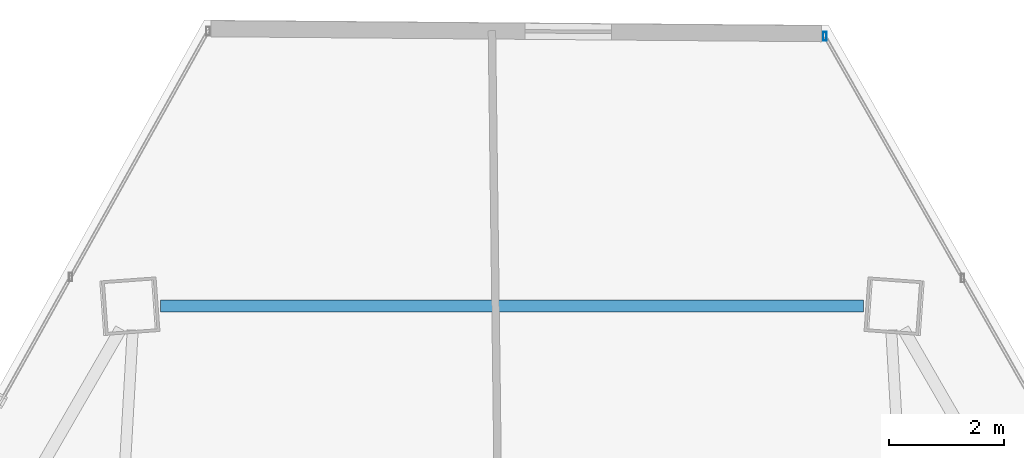
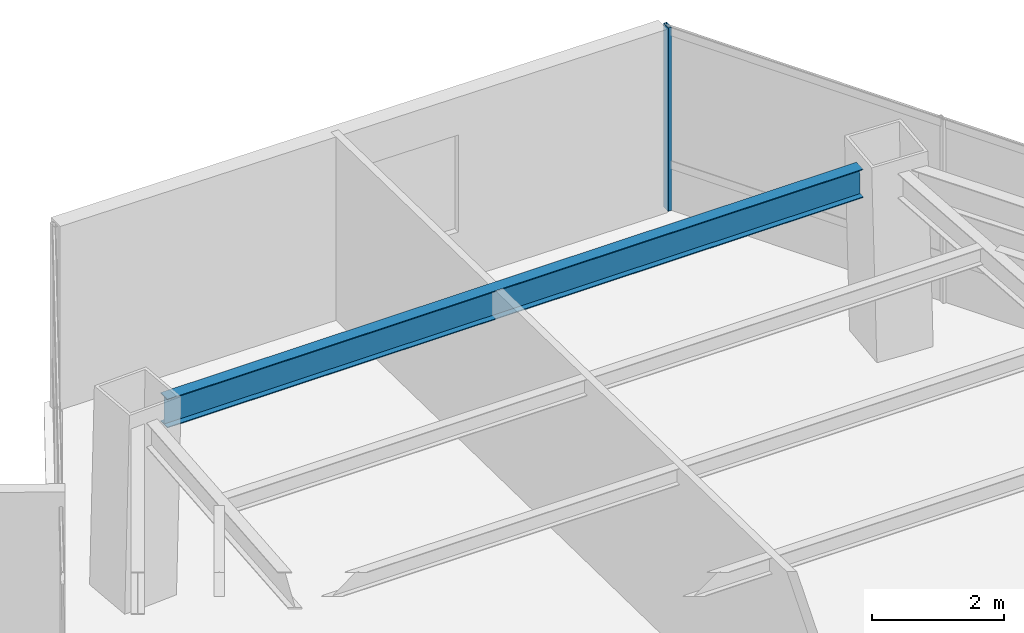
# One storey, part 29 of 39: 1 beam, 1 member, 1 element without a shape of its own.
"""IFC4 building model written with IfcOpenShell, lengths in metres."""

from ifc_helpers import new_model, si_unit, direction, frame, origin, origin_2d, place, context, subcontext, project, spatial, hollow_rectangle, i_section, extrude, source, transform, mapped, material, material_profile, profile_set, type_object, type_shapes, element, aggregate, save


model = new_model("IFC4")

# Units and contexts
model_context = context("Model", 3, precision=1e-05, world=origin(), true_north=direction((0.0, 1.0)))
body_context = subcontext(model_context, "Body", "Model", "MODEL_VIEW")
ifc_project = project(units=[si_unit("LENGTHUNIT", "METRE"), si_unit("AREAUNIT", "SQUARE_METRE"), si_unit("VOLUMEUNIT", "CUBIC_METRE"), si_unit("PLANEANGLEUNIT", "RADIAN"), si_unit("MASSUNIT", "GRAM", prefix="KILO")], contexts=[model_context])

# Site, building, storey
site_placement = place(None, origin())
site = spatial("IfcSite", under=ifc_project, at=site_placement, CompositionType="ELEMENT")
building_placement = place(site_placement, origin())
building = spatial("IfcBuilding", under=site, at=building_placement, Name="Caelisora Broadcast Tower", CompositionType="ELEMENT")
storey_placement = place(building_placement, frame((0.0, 0.0, 139.10009765625)))
storey = spatial("IfcBuildingStorey", under=building, at=storey_placement, Name="L36", CompositionType="ELEMENT", Elevation=139.10009765625)

# Beam
ifc_material_1 = material(Name="Steel Grade 350 (AS/NZS 3679.1)", Category="steel")
ifc_material_profile_1 = material_profile(ifc_material_1, i_section(OverallWidth=0.208984375, OverallDepth=0.532958984375, WebThickness=0.01025390625, FlangeThickness=0.015625, at=origin_2d()), Name="Steel Grade 350 (AS/NZS 3679.1)")
ifc_profile_set_1 = profile_set([ifc_material_profile_1], Name="Steel Grade 350 (AS/NZS 3679.1)")
beam_type = type_object("IfcBeamType", Name="PG05", PredefinedType="BEAM", material=ifc_profile_set_1)
shared_shape_1 = source(origin(), body_context, "Body", "SweptSolid", [
    extrude(i_section(OverallWidth=0.208984375, OverallDepth=0.532958984375, WebThickness=0.01025390625, FlangeThickness=0.015625, at=origin_2d()), origin(), (0.0, 0.0, 1.0), 12.20166015625),
])
type_shapes(beam_type, [shared_shape_1])
beam_placement = place(storey_placement, frame((44.100830078125, 46.474609375, 3.13330078125), z_axis=(-1.0, 0.0, 0.0), x_axis=(0.0, -1.0, 0.0)))
element("IfcBeam", 1, at=beam_placement, inside=storey, type_object=beam_type, Name="L36 beam PG05", PredefinedType="BEAM", context=body_context, shape_type="MappedRepresentation", body=[
    mapped(shared_shape_1, transform((0.0, 0.0, 0.0), scale=1.0)),
])

# Curtain wall, member
ifc_material_2 = material(Name="Unitised Aluminium and Low-E Glass Curtain Wall", Category="glass")
curtain_wall_type = type_object("IfcCurtainWallType", Name="CW-Z3", PredefinedType="NOTDEFINED", material=ifc_material_2)
curtain_wall_placement = place(storey_placement, origin())
curtain_wall = element("IfcCurtainWall", 2, at=curtain_wall_placement, inside=storey, type_object=curtain_wall_type, Name="L36 curtain wall CW-Z3", PredefinedType="NOTDEFINED")
ifc_material_3 = material(Name="Aluminium 6063-T6 Anodised Terracotta Bronze", Category="aluminium")
ifc_material_profile_2 = material_profile(ifc_material_3, hollow_rectangle(XDim=0.06005859375, YDim=0.14990234375, WallThickness=0.00341796875, at=origin_2d()), Name="Aluminium 6063-T6 Anodised Terracotta Bronze")
ifc_profile_set_2 = profile_set([ifc_material_profile_2], Name="Aluminium 6063-T6 Anodised Terracotta Bronze")
member_type = type_object("IfcMemberType", Name="CWM-03", PredefinedType="MULLION", material=ifc_profile_set_2)
shared_shape_2 = source(origin(), body_context, "Body", "SweptSolid", [
    extrude(hollow_rectangle(XDim=0.06005859375, YDim=0.14990234375, WallThickness=0.00341796875, at=origin_2d()), origin(), (0.0, 0.0, 1.0), 3.39990234375),
])
type_shapes(member_type, [shared_shape_2])
member_placement = place(storey_placement, frame((43.4306640625, 51.156494140625, 0.0), z_axis=(0.0, 0.0, 1.0), x_axis=(1.0, 0.0, 0.0)))
member = element("IfcMember", 3, at=member_placement, type_object=member_type, Name="L36-CW-B01 mullion #0", PredefinedType="MULLION", context=body_context, shape_type="MappedRepresentation", body=[
    mapped(shared_shape_2, transform((0.0, 0.0, 0.0), scale=1.0)),
])
aggregate(curtain_wall, [member])

save(model, "model.ifc")
